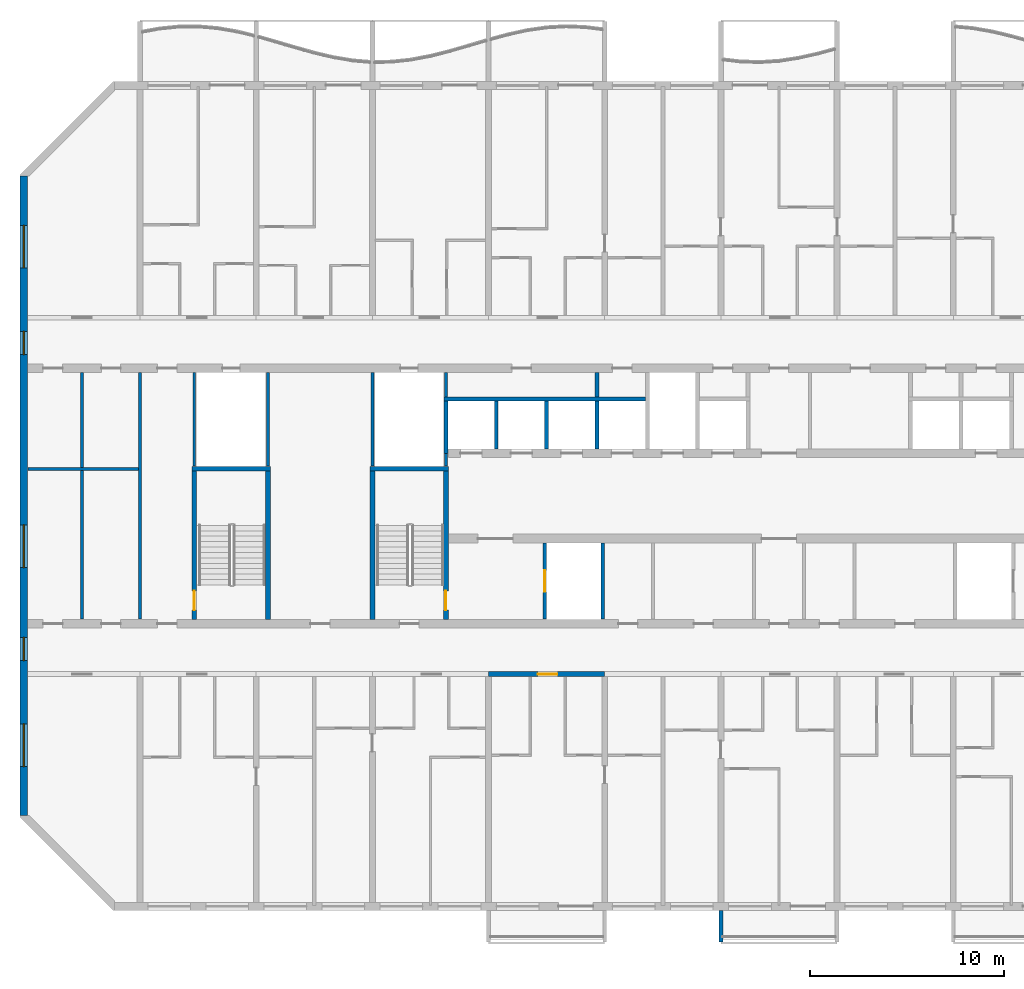
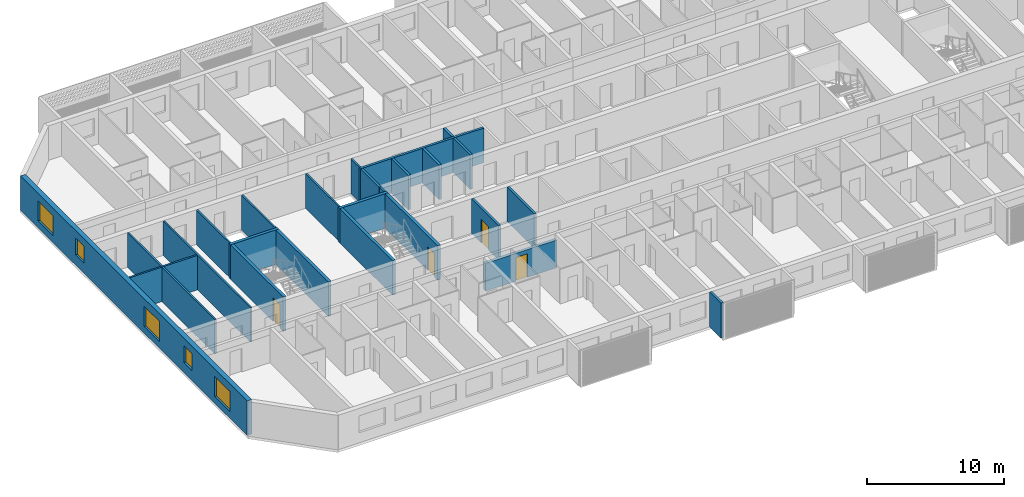
# One storey, part 3 of 32: 25 walls, 5 windows, 4 doors, 9 openings.
"""IFC4 building model written with IfcOpenShell, lengths in metres."""

from ifc_helpers import new_model, si_unit, direction, frame, frame_2d, origin, place, context, subcontext, project, spatial, polyline, rectangle, outline, extrude, source, transform, mapped, material, layer, layer_set, type_object, element, fill, save


model = new_model("IFC4")

# Units and contexts
model_context = context("Model", 3, precision=1e-05, world=origin(), true_north=direction((0.0, 1.0)))
body_context = subcontext(model_context, "Body", "Model", "MODEL_VIEW")
ifc_project = project(units=[si_unit("LENGTHUNIT", "METRE"), si_unit("AREAUNIT", "SQUARE_METRE"), si_unit("VOLUMEUNIT", "CUBIC_METRE"), si_unit("PLANEANGLEUNIT", "RADIAN"), si_unit("MASSUNIT", "GRAM", prefix="KILO")], contexts=[model_context])

# Site, building, storey
site_placement = place(None, origin())
site = spatial("IfcSite", under=ifc_project, at=site_placement, CompositionType="ELEMENT")
building_placement = place(site_placement, origin())
building = spatial("IfcBuilding", under=site, at=building_placement, Name="Poui Terraces", CompositionType="ELEMENT")
storey_placement = place(building_placement, frame((0.0, 0.0, 125.699951171875)))
storey = spatial("IfcBuildingStorey", under=building, at=storey_placement, Name="L34", CompositionType="ELEMENT", Elevation=125.699951171875)

# Wall
ifc_material_1 = material(Name="Fire-rated plasterboard wall")
ifc_layer_1 = layer(ifc_material_1, 0.14990234375)
ifc_layer_set_1 = layer_set([ifc_layer_1], Name="Fire-rated plasterboard wall")
wall_type_1 = type_object("IfcWallType", Name="CORRIDOR WALL 150", PredefinedType="PARTITIONING", material=ifc_layer_set_1)
wall_1_placement = place(storey_placement, frame((18.0, 14.8349609375, 0.0), z_axis=(0.0, 0.0, 1.0), x_axis=(0.0, 1.0, 0.0)))
element("IfcWall", 1, at=wall_1_placement, inside=storey, type_object=wall_type_1, Name="CORRIDOR WALL 150", PredefinedType="PARTITIONING", context=body_context, shape_type="SweptSolid", body=[
    extrude(rectangle(XDim=12.72998046875, YDim=0.14990234375, at=frame_2d((6.364990234375, 0.0))), origin(), (0.0, 0.0, 1.0), 3.070068359375),
])

# Wall, opening, door
ifc_material_2 = material(Name="Concrete 65 MPa", Category="concrete")
ifc_layer_2 = layer(ifc_material_2, 0.25)
ifc_layer_set_2 = layer_set([ifc_layer_2], Name="Concrete 65 MPa")
wall_type_2 = type_object("IfcWallType", Name="CORRIDOR WALL 250 65MPa", PredefinedType="SHEAR", material=ifc_layer_set_2)
wall_2_placement = place(storey_placement, frame((36.0, 12.0, 0.0), z_axis=(0.0, 0.0, 1.0), x_axis=(1.0, 0.0, 0.0)))
wall_2 = element("IfcWall", 2, at=wall_2_placement, inside=storey, type_object=wall_type_2, Name="CORRIDOR WALL LINE B BAY 5", PredefinedType="SHEAR", context=body_context, shape_type="SweptSolid", body=[
    extrude(rectangle(XDim=6.0, YDim=0.25, at=frame_2d((3.0, 0.0))), origin(), (0.0, 0.0, 1.0), 2.469970703125),
])
opening_1_placement = place(wall_2_placement, frame((2.550048828125, 0.0, 0.0)))
opening_1 = element("IfcOpeningElement", 3, at=opening_1_placement, cuts=wall_2, Name="Opening FD30S", PredefinedType="OPENING", context=body_context, shape_type="SweptSolid", body=[
    extrude(rectangle(XDim=1.0, YDim=2.10009765625, at=frame_2d((0.5, 1.050048828125))), frame((0.0, 0.135009765625, 0.0), z_axis=(0.0, -1.0, 0.0), x_axis=(1.0, 0.0, 0.0)), (0.0, 0.0, 1.0), 0.27001953125),
])
ifc_material_3 = material(Name="Steel fire door", Category="steel")
door_type_1 = type_object("IfcDoorType", Name="FLAT ENTRANCE DOOR 1000 X 2100", OperationType="NOTDEFINED", PredefinedType="DOOR", material=ifc_material_3)
door_1_placement = place(opening_1_placement, frame((1.0, 0.0, 0.0), z_axis=(0.0, 0.0, 1.0), x_axis=(-1.0, 0.0, 0.0)))
door_1 = element("IfcDoor", 4, at=door_1_placement, inside=storey, type_object=door_type_1, Name="FLAT ENTRANCE DOOR 092", OperationType="SINGLE_SWING_LEFT", OverallHeight=2.10009765625, OverallWidth=1.0, PredefinedType="DOOR", context=body_context, shape_type="SweptSolid", body=[
    extrude(rectangle(XDim=1.0, YDim=2.10009765625, at=frame_2d((0.5, 1.050048828125))), frame((0.0, 0.02490234375, 0.0), z_axis=(0.0, -1.0, 0.0), x_axis=(1.0, 0.0, 0.0)), (0.0, 0.0, 1.0), 0.050048828125),
])
fill(opening_1, door_1)

# Wall, openings, windows
ifc_layer_3 = layer(ifc_material_2, 0.39990234375)
ifc_layer_set_3 = layer_set([ifc_layer_3], Name="Concrete 65 MPa")
wall_type_3 = type_object("IfcWallType", Name="END WALL 400 65MPa", PredefinedType="SHEAR", material=ifc_layer_set_3)
wall_3_placement = place(storey_placement, frame((12.0, 4.682861328125, 0.0), z_axis=(0.0, 0.0, 1.0), x_axis=(0.0, 1.0, 0.0)))
wall_3 = element("IfcWall", 5, at=wall_3_placement, inside=storey, type_object=wall_type_3, Name="END WALL WEST", PredefinedType="SHEAR", context=body_context, shape_type="SweptSolid", body=[
    extrude(rectangle(XDim=33.034423828125, YDim=0.39990234375, at=frame_2d((16.51708984375, 0.0))), origin(), (0.0, 0.0, 1.0), 3.070068359375),
])
opening_2_placement = place(wall_3_placement, frame((23.817138671875, 0.0, 0.89990234375)))
opening_2 = element("IfcOpeningElement", 6, at=opening_2_placement, cuts=wall_3, Name="Opening W2", PredefinedType="OPENING", context=body_context, shape_type="SweptSolid", body=[
    extrude(rectangle(XDim=1.199951171875, YDim=1.5, at=frame_2d((0.60009765625, 0.75))), frame((0.0, 0.2099609375, 0.0), z_axis=(0.0, -1.0, 0.0), x_axis=(1.0, 0.0, 0.0)), (0.0, 0.0, 1.0), 0.419921875),
])
opening_3_placement = place(wall_3_placement, frame((8.01708984375, 0.0, 0.89990234375)))
opening_3 = element("IfcOpeningElement", 7, at=opening_3_placement, cuts=wall_3, Name="Opening W2", PredefinedType="OPENING", context=body_context, shape_type="SweptSolid", body=[
    extrude(rectangle(XDim=1.199951171875, YDim=1.5, at=frame_2d((0.60009765625, 0.75))), frame((0.0, 0.2099609375, 0.0), z_axis=(0.0, -1.0, 0.0), x_axis=(1.0, 0.0, 0.0)), (0.0, 0.0, 1.0), 0.419921875),
])
opening_4_placement = place(wall_3_placement, frame((28.29345703125, 0.0, 0.60009765625)))
opening_4 = element("IfcOpeningElement", 8, at=opening_4_placement, cuts=wall_3, Name="Opening W3", PredefinedType="OPENING", context=body_context, shape_type="SweptSolid", body=[
    extrude(rectangle(XDim=2.199951171875, YDim=1.800048828125, at=frame_2d((1.10009765625, 0.89990234375))), frame((0.0, 0.2099609375, 0.0), z_axis=(0.0, -1.0, 0.0), x_axis=(1.0, 0.0, 0.0)), (0.0, 0.0, 1.0), 0.419921875),
])
opening_5_placement = place(wall_3_placement, frame((2.541015625, 0.0, 0.60009765625)))
opening_5 = element("IfcOpeningElement", 9, at=opening_5_placement, cuts=wall_3, Name="Opening W3", PredefinedType="OPENING", context=body_context, shape_type="SweptSolid", body=[
    extrude(rectangle(XDim=2.199951171875, YDim=1.800048828125, at=frame_2d((1.10009765625, 0.89990234375))), frame((0.0, 0.2099609375, 0.0), z_axis=(0.0, -1.0, 0.0), x_axis=(1.0, 0.0, 0.0)), (0.0, 0.0, 1.0), 0.419921875),
])
opening_6_placement = place(wall_3_placement, frame((12.817138671875, 0.0, 0.60009765625)))
opening_6 = element("IfcOpeningElement", 10, at=opening_6_placement, cuts=wall_3, Name="Opening W3", PredefinedType="OPENING", context=body_context, shape_type="SweptSolid", body=[
    extrude(rectangle(XDim=2.199951171875, YDim=1.800048828125, at=frame_2d((1.10009765625, 0.89990234375))), frame((0.0, 0.2099609375, 0.0), z_axis=(0.0, -1.0, 0.0), x_axis=(1.0, 0.0, 0.0)), (0.0, 0.0, 1.0), 0.419921875),
])
ifc_material_4 = material(Name="Clear glass in aluminium frame", Category="aluminium")
window_type_1 = type_object("IfcWindowType", Name="WINDOW 1200X1500", PartitioningType="SINGLE_PANEL", PredefinedType="WINDOW", material=ifc_material_4)
window_1_placement = place(opening_2_placement, origin())
window_1 = element("IfcWindow", 11, at=window_1_placement, inside=storey, type_object=window_type_1, Name="W2 WINDOW", OverallHeight=1.5, OverallWidth=1.199951171875, PartitioningType="SINGLE_PANEL", PredefinedType="WINDOW", context=body_context, shape_type="SweptSolid", body=[
    extrude(rectangle(XDim=1.199951171875, YDim=1.5, at=frame_2d((0.60009765625, 0.75))), frame((0.0, 0.030029296875, 0.0), z_axis=(0.0, -1.0, 0.0), x_axis=(1.0, 0.0, 0.0)), (0.0, 0.0, 1.0), 0.06005859375),
])
fill(opening_2, window_1)
window_2_placement = place(opening_3_placement, origin())
window_2 = element("IfcWindow", 12, at=window_2_placement, inside=storey, type_object=window_type_1, Name="W2 WINDOW", OverallHeight=1.5, OverallWidth=1.199951171875, PartitioningType="SINGLE_PANEL", PredefinedType="WINDOW", context=body_context, shape_type="SweptSolid", body=[
    extrude(rectangle(XDim=1.199951171875, YDim=1.5, at=frame_2d((0.60009765625, 0.75))), frame((0.0, 0.030029296875, 0.0), z_axis=(0.0, -1.0, 0.0), x_axis=(1.0, 0.0, 0.0)), (0.0, 0.0, 1.0), 0.06005859375),
])
fill(opening_3, window_2)
window_type_2 = type_object("IfcWindowType", Name="WINDOW 2200X1800", PartitioningType="DOUBLE_PANEL_HORIZONTAL", PredefinedType="WINDOW", material=ifc_material_4)
window_3_placement = place(opening_4_placement, origin())
window_3 = element("IfcWindow", 13, at=window_3_placement, inside=storey, type_object=window_type_2, Name="W3 WINDOW", OverallHeight=1.800048828125, OverallWidth=2.199951171875, PartitioningType="DOUBLE_PANEL_HORIZONTAL", PredefinedType="WINDOW", context=body_context, shape_type="SweptSolid", body=[
    extrude(rectangle(XDim=2.199951171875, YDim=1.800048828125, at=frame_2d((1.10009765625, 0.89990234375))), frame((0.0, 0.030029296875, 0.0), z_axis=(0.0, -1.0, 0.0), x_axis=(1.0, 0.0, 0.0)), (0.0, 0.0, 1.0), 0.06005859375),
])
fill(opening_4, window_3)
window_4_placement = place(opening_5_placement, origin())
window_4 = element("IfcWindow", 14, at=window_4_placement, inside=storey, type_object=window_type_2, Name="W3 WINDOW", OverallHeight=1.800048828125, OverallWidth=2.199951171875, PartitioningType="DOUBLE_PANEL_HORIZONTAL", PredefinedType="WINDOW", context=body_context, shape_type="SweptSolid", body=[
    extrude(rectangle(XDim=2.199951171875, YDim=1.800048828125, at=frame_2d((1.10009765625, 0.89990234375))), frame((0.0, 0.030029296875, 0.0), z_axis=(0.0, -1.0, 0.0), x_axis=(1.0, 0.0, 0.0)), (0.0, 0.0, 1.0), 0.06005859375),
])
fill(opening_5, window_4)
window_5_placement = place(opening_6_placement, origin())
window_5 = element("IfcWindow", 15, at=window_5_placement, inside=storey, type_object=window_type_2, Name="W3 WINDOW", OverallHeight=1.800048828125, OverallWidth=2.199951171875, PartitioningType="DOUBLE_PANEL_HORIZONTAL", PredefinedType="WINDOW", context=body_context, shape_type="SweptSolid", body=[
    extrude(rectangle(XDim=2.199951171875, YDim=1.800048828125, at=frame_2d((1.10009765625, 0.89990234375))), frame((0.0, 0.030029296875, 0.0), z_axis=(0.0, -1.0, 0.0), x_axis=(1.0, 0.0, 0.0)), (0.0, 0.0, 1.0), 0.06005859375),
])
fill(opening_6, window_5)

# Walls
ifc_material_5 = material(Name="Plasterboard partition")
ifc_layer_4 = layer(ifc_material_5, 0.14990234375)
ifc_layer_set_4 = layer_set([ifc_layer_4], Name="Plasterboard partition")
wall_type_4 = type_object("IfcWallType", Name="PARTITION WALL 150", PredefinedType="PARTITIONING", material=ifc_layer_set_4)
wall_4_placement = place(storey_placement, frame((12.2099609375, 22.60009765625, 0.0), z_axis=(0.0, 0.0, 1.0), x_axis=(1.0, 0.0, 0.0)))
element("IfcWall", 16, at=wall_4_placement, inside=storey, type_object=wall_type_4, Name="PARTITION WALL 150", PredefinedType="PARTITIONING", context=body_context, shape_type="SweptSolid", body=[
    extrude(rectangle(XDim=5.715087890625, YDim=0.14990234375, at=frame_2d((2.857421875, 0.0))), origin(), (0.0, 0.0, 1.0), 3.070068359375),
])
wall_5_placement = place(storey_placement, frame((15.0, 14.8349609375, 0.0), z_axis=(0.0, 0.0, 1.0), x_axis=(0.0, 1.0, 0.0)))
element("IfcWall", 17, at=wall_5_placement, inside=storey, type_object=wall_type_4, Name="PARTITION WALL 150", PredefinedType="PARTITIONING", context=body_context, shape_type="SweptSolid", body=[
    extrude(rectangle(XDim=12.72998046875, YDim=0.14990234375, at=frame_2d((6.364990234375, 0.0))), origin(), (0.0, 0.0, 1.0), 3.070068359375),
])
ifc_material_6 = material(Name="Fire-rated masonry wall", Category="masonry")
ifc_layer_5 = layer(ifc_material_6, 0.199951171875)
ifc_layer_set_5 = layer_set([ifc_layer_5], Name="Fire-rated masonry wall")
wall_type_5 = type_object("IfcWallType", Name="PLANT ROOM WALL 200", PredefinedType="PARTITIONING", material=ifc_layer_set_5)
wall_6_placement = place(storey_placement, frame((41.60009765625, 26.300048828125, 0.0), z_axis=(0.0, 0.0, 1.0), x_axis=(0.0, 1.0, 0.0)))
element("IfcWall", 18, at=wall_6_placement, inside=storey, type_object=wall_type_5, Name="PLANT ROOM WALL 200", PredefinedType="PARTITIONING", context=body_context, shape_type="SweptSolid", body=[
    extrude(rectangle(XDim=1.264892578125, YDim=0.199951171875, at=frame_2d((0.63232421875, 0.0))), origin(), (0.0, 0.0, 1.0), 3.070068359375),
])
ifc_material_7 = material(Name="Fire-rated plasterboard riser wall")
ifc_layer_6 = layer(ifc_material_7, 0.14990234375)
ifc_layer_set_6 = layer_set([ifc_layer_6], Name="Fire-rated plasterboard riser wall")
wall_type_6 = type_object("IfcWallType", Name="RISER WALL 150", PredefinedType="PARTITIONING", material=ifc_layer_set_6)
for number, where, z_axis, x_axis, name in (
    (19, (20.800048828125, 22.735107421875, 0.0), (0.0, 0.0, 1.0), (0.0, 1.0, 0.0), "RISER WALL 150"),
    (20, (24.60009765625, 22.735107421875, 0.0), (0.0, 0.0, 1.0), (0.0, 1.0, 0.0), "RISER WALL 150"),
    (21, (30.0, 22.735107421875, 0.0), (0.0, 0.0, 1.0), (0.0, 1.0, 0.0), "RISER WALL 150"),
):
    element("IfcWall", number, at=place(storey_placement, frame(where, z_axis=z_axis, x_axis=x_axis)), inside=storey, type_object=wall_type_6, Name=name, PredefinedType="PARTITIONING", context=body_context, shape_type="SweptSolid", body=[
        extrude(rectangle(XDim=4.829833984375, YDim=0.14990234375, at=frame_2d((2.4150390625, 0.0))), origin(), (0.0, 0.0, 1.0), 3.070068359375),
    ])
wall_7_placement = place(storey_placement, frame((33.800048828125, 22.735107421875, 0.0), z_axis=(0.0, 0.0, 1.0), x_axis=(0.0, 1.0, 0.0)))
element("IfcWall", 22, at=wall_7_placement, inside=storey, type_object=wall_type_6, Name="RISER WALL 150", PredefinedType="PARTITIONING", context=body_context, shape_type="SweptSolid", body=[
    extrude(rectangle(XDim=0.664794921875, YDim=0.14990234375, at=frame_2d((0.33251953125, 0.0))), origin(), (0.0, 0.0, 1.0), 3.070068359375),
])
wall_8_placement = place(storey_placement, frame((33.800048828125, 26.300048828125, 0.0), z_axis=(0.0, 0.0, 1.0), x_axis=(0.0, 1.0, 0.0)))
element("IfcWall", 23, at=wall_8_placement, inside=storey, type_object=wall_type_6, Name="RISER WALL 150", PredefinedType="PARTITIONING", context=body_context, shape_type="SweptSolid", body=[
    extrude(rectangle(XDim=1.264892578125, YDim=0.14990234375, at=frame_2d((0.63232421875, 0.0))), origin(), (0.0, 0.0, 1.0), 3.070068359375),
])
ifc_material_8 = material(Name="Fire-rated masonry shaft wall", Category="masonry")
ifc_layer_7 = layer(ifc_material_8, 0.199951171875)
ifc_layer_set_7 = layer_set([ifc_layer_7], Name="Fire-rated masonry shaft wall")
wall_type_7 = type_object("IfcWallType", Name="SHAFT WALL 200", PredefinedType="PARTITIONING", material=ifc_layer_set_7)
wall_9_placement = place(storey_placement, frame((33.699951171875, 26.199951171875, 0.0), z_axis=(0.0, 0.0, 1.0), x_axis=(1.0, 0.0, 0.0)))
element("IfcWall", 24, at=wall_9_placement, inside=storey, type_object=wall_type_7, Name="SHAFT WALL 200", PredefinedType="PARTITIONING", context=body_context, shape_type="SweptSolid", body=[
    extrude(rectangle(XDim=10.400146484375, YDim=0.199951171875, at=frame_2d((5.2001953125, 0.0))), origin(), (0.0, 0.0, 1.0), 3.070068359375),
])
wall_10_placement = place(storey_placement, frame((33.800048828125, 23.39990234375, 0.0), z_axis=(0.0, 0.0, 1.0), x_axis=(0.0, 1.0, 0.0)))
element("IfcWall", 25, at=wall_10_placement, inside=storey, type_object=wall_type_7, Name="SHAFT WALL 200", PredefinedType="PARTITIONING", context=body_context, shape_type="SweptSolid", body=[
    extrude(rectangle(XDim=2.7001953125, YDim=0.199951171875, at=frame_2d((1.35009765625, 0.0))), origin(), (0.0, 0.0, 1.0), 3.070068359375),
])
wall_11_placement = place(storey_placement, frame((36.39990234375, 23.635009765625, 0.0), z_axis=(0.0, 0.0, 1.0), x_axis=(0.0, 1.0, 0.0)))
element("IfcWall", 26, at=wall_11_placement, inside=storey, type_object=wall_type_7, Name="SHAFT WALL 200", PredefinedType="PARTITIONING", context=body_context, shape_type="SweptSolid", body=[
    extrude(rectangle(XDim=2.465087890625, YDim=0.199951171875, at=frame_2d((1.232421875, 0.0))), origin(), (0.0, 0.0, 1.0), 3.070068359375),
])

# Wall, opening, door
wall_12_placement = place(storey_placement, frame((38.89990234375, 14.8349609375, 0.0), z_axis=(0.0, 0.0, 1.0), x_axis=(0.0, 1.0, 0.0)))
wall_12 = element("IfcWall", 27, at=wall_12_placement, inside=storey, type_object=wall_type_7, Name="SHAFT WALL 200", PredefinedType="PARTITIONING", context=body_context, shape_type="SweptSolid", body=[
    extrude(rectangle(XDim=3.929931640625, YDim=0.199951171875, at=frame_2d((1.96484375, 0.0))), origin(), (0.0, 0.0, 1.0), 3.070068359375),
])
opening_7_placement = place(wall_12_placement, frame((1.4150390625, 0.0, 0.0)))
opening_7 = element("IfcOpeningElement", 28, at=opening_7_placement, cuts=wall_12, Name="Opening LD", PredefinedType="OPENING", context=body_context, shape_type="SweptSolid", body=[
    extrude(rectangle(XDim=1.10009765625, YDim=2.10009765625, at=frame_2d((0.550048828125, 1.050048828125))), frame((0.0, 0.10986328125, 0.0), z_axis=(0.0, -1.0, 0.0), x_axis=(1.0, 0.0, 0.0)), (0.0, 0.0, 1.0), 0.219970703125),
])
ifc_material_9 = material(Name="Stainless steel sliding door", Category="steel")
door_type_2 = type_object("IfcDoorType", Name="LIFT LANDING DOOR 1100 X 2100", OperationType="DOUBLE_DOOR_SLIDING", PredefinedType="DOOR", material=ifc_material_9)
door_2_placement = place(opening_7_placement, origin())
door_2 = element("IfcDoor", 29, at=door_2_placement, inside=storey, type_object=door_type_2, Name="LANDING DOOR", OperationType="DOUBLE_DOOR_SLIDING", OverallHeight=2.10009765625, OverallWidth=1.10009765625, PredefinedType="DOOR", context=body_context, shape_type="SweptSolid", body=[
    extrude(rectangle(XDim=1.10009765625, YDim=2.10009765625, at=frame_2d((0.550048828125, 1.050048828125))), frame((0.0, 0.02490234375, 0.0), z_axis=(0.0, -1.0, 0.0), x_axis=(1.0, 0.0, 0.0)), (0.0, 0.0, 1.0), 0.050048828125),
])
fill(opening_7, door_2)

# Walls
for number, where, z_axis, x_axis, name in (
    (30, (39.0, 23.635009765625, 0.0), (0.0, 0.0, 1.0), (0.0, 1.0, 0.0), "SHAFT WALL 200"),
    (31, (41.60009765625, 23.635009765625, 0.0), (0.0, 0.0, 1.0), (0.0, 1.0, 0.0), "SHAFT WALL 200"),
):
    element("IfcWall", number, at=place(storey_placement, frame(where, z_axis=z_axis, x_axis=x_axis)), inside=storey, type_object=wall_type_7, Name=name, PredefinedType="PARTITIONING", context=body_context, shape_type="SweptSolid", body=[
        extrude(rectangle(XDim=2.465087890625, YDim=0.199951171875, at=frame_2d((1.232421875, 0.0))), origin(), (0.0, 0.0, 1.0), 3.070068359375),
    ])
wall_13_placement = place(storey_placement, frame((41.89990234375, 14.8349609375, 0.0), z_axis=(0.0, 0.0, 1.0), x_axis=(0.0, 1.0, 0.0)))
element("IfcWall", 32, at=wall_13_placement, inside=storey, type_object=wall_type_7, Name="SHAFT WALL 200", PredefinedType="PARTITIONING", context=body_context, shape_type="SweptSolid", body=[
    extrude(rectangle(XDim=3.929931640625, YDim=0.199951171875, at=frame_2d((1.96484375, 0.0))), origin(), (0.0, 0.0, 1.0), 3.070068359375),
])
ifc_layer_8 = layer(ifc_material_2, 0.25)
ifc_layer_set_8 = layer_set([ifc_layer_8], Name="Concrete 65 MPa")
wall_type_8 = type_object("IfcWallType", Name="STAIR CORE WALL 250 65 MPA", PredefinedType="SOLIDWALL", material=ifc_layer_set_8)
wall_14_placement = place(storey_placement, frame((30.0, 14.824951171875, 0.0), z_axis=(0.0, 0.0, 1.0), x_axis=(0.0, 1.0, 0.0)))
element("IfcWall", 33, at=wall_14_placement, inside=storey, type_object=wall_type_8, Name="STAIR CORE WALL", PredefinedType="SOLIDWALL", context=body_context, shape_type="SweptSolid", body=[
    extrude(rectangle(XDim=7.650146484375, YDim=0.25, at=frame_2d((3.8251953125, 0.0))), origin(), (0.0, 0.0, 1.0), 3.070068359375),
])

# Wall, opening, door
wall_15_placement = place(storey_placement, frame((33.800048828125, 14.824951171875, 0.0), z_axis=(0.0, 0.0, 1.0), x_axis=(0.0, 1.0, 0.0)))
wall_15 = element("IfcWall", 34, at=wall_15_placement, inside=storey, type_object=wall_type_8, Name="STAIR CORE WALL", PredefinedType="SOLIDWALL", context=body_context, shape_type="SweptSolid", body=[
    extrude(rectangle(XDim=7.650146484375, YDim=0.25, at=frame_2d((3.8251953125, 0.0))), origin(), (0.0, 0.0, 1.0), 3.070068359375),
])
opening_8_placement = place(wall_15_placement, frame((0.47509765625, 0.0, 0.0)))
opening_8 = element("IfcOpeningElement", 35, at=opening_8_placement, cuts=wall_15, Name="Opening FD60S", PredefinedType="OPENING", context=body_context, shape_type="SweptSolid", body=[
    extrude(rectangle(XDim=1.0, YDim=2.10009765625, at=frame_2d((0.5, 1.050048828125))), frame((0.0, 0.135009765625, 0.0), z_axis=(0.0, -1.0, 0.0), x_axis=(1.0, 0.0, 0.0)), (0.0, 0.0, 1.0), 0.27001953125),
])
door_type_3 = type_object("IfcDoorType", Name="STAIR DOOR 1000 X 2100", OperationType="NOTDEFINED", PredefinedType="DOOR", material=ifc_material_3)
door_3_placement = place(opening_8_placement, origin())
door_3 = element("IfcDoor", 36, at=door_3_placement, inside=storey, type_object=door_type_3, Name="STAIR DOOR 123", OperationType="SINGLE_SWING_LEFT", OverallHeight=2.10009765625, OverallWidth=1.0, PredefinedType="DOOR", context=body_context, shape_type="SweptSolid", body=[
    extrude(rectangle(XDim=1.0, YDim=2.10009765625, at=frame_2d((0.5, 1.050048828125))), frame((0.0, 0.02490234375, 0.0), z_axis=(0.0, -1.0, 0.0), x_axis=(1.0, 0.0, 0.0)), (0.0, 0.0, 1.0), 0.050048828125),
])
fill(opening_8, door_3)

# Wall
wall_16_placement = place(storey_placement, frame((29.875, 22.60009765625, 0.0), z_axis=(0.0, 0.0, 1.0), x_axis=(1.0, 0.0, 0.0)))
element("IfcWall", 37, at=wall_16_placement, inside=storey, type_object=wall_type_8, Name="STAIR CORE WALL", PredefinedType="SOLIDWALL", context=body_context, shape_type="SweptSolid", body=[
    extrude(rectangle(XDim=4.050048828125, YDim=0.25, at=frame_2d((2.02490234375, 0.0))), origin(), (0.0, 0.0, 1.0), 3.070068359375),
])

# Wall, opening, door
wall_17_placement = place(storey_placement, frame((20.800048828125, 14.824951171875, 0.0), z_axis=(0.0, 0.0, 1.0), x_axis=(0.0, 1.0, 0.0)))
wall_17 = element("IfcWall", 38, at=wall_17_placement, inside=storey, type_object=wall_type_8, Name="STAIR CORE WALL", PredefinedType="SOLIDWALL", context=body_context, shape_type="SweptSolid", body=[
    extrude(rectangle(XDim=7.650146484375, YDim=0.25, at=frame_2d((3.8251953125, 0.0))), origin(), (0.0, 0.0, 1.0), 3.070068359375),
])
opening_9_placement = place(wall_17_placement, frame((0.47509765625, 0.0, 0.0)))
opening_9 = element("IfcOpeningElement", 39, at=opening_9_placement, cuts=wall_17, Name="Opening FD60S", PredefinedType="OPENING", context=body_context, shape_type="SweptSolid", body=[
    extrude(rectangle(XDim=1.0, YDim=2.10009765625, at=frame_2d((0.5, 1.050048828125))), frame((0.0, 0.135009765625, 0.0), z_axis=(0.0, -1.0, 0.0), x_axis=(1.0, 0.0, 0.0)), (0.0, 0.0, 1.0), 0.27001953125),
])
door_4_placement = place(opening_9_placement, frame((1.0, 0.0, 0.0), z_axis=(0.0, 0.0, 1.0), x_axis=(-1.0, 0.0, 0.0)))
door_4 = element("IfcDoor", 40, at=door_4_placement, inside=storey, type_object=door_type_3, Name="STAIR DOOR 137", OperationType="SINGLE_SWING_RIGHT", OverallHeight=2.10009765625, OverallWidth=1.0, PredefinedType="DOOR", context=body_context, shape_type="SweptSolid", body=[
    extrude(rectangle(XDim=1.0, YDim=2.10009765625, at=frame_2d((0.5, 1.050048828125))), frame((0.0, 0.02490234375, 0.0), z_axis=(0.0, -1.0, 0.0), x_axis=(1.0, 0.0, 0.0)), (0.0, 0.0, 1.0), 0.050048828125),
])
fill(opening_9, door_4)

# Walls
wall_18_placement = place(storey_placement, frame((24.60009765625, 14.824951171875, 0.0), z_axis=(0.0, 0.0, 1.0), x_axis=(0.0, 1.0, 0.0)))
element("IfcWall", 41, at=wall_18_placement, inside=storey, type_object=wall_type_8, Name="STAIR CORE WALL", PredefinedType="SOLIDWALL", context=body_context, shape_type="SweptSolid", body=[
    extrude(rectangle(XDim=7.650146484375, YDim=0.25, at=frame_2d((3.8251953125, 0.0))), origin(), (0.0, 0.0, 1.0), 3.070068359375),
])
wall_19_placement = place(storey_placement, frame((20.675048828125, 22.60009765625, 0.0), z_axis=(0.0, 0.0, 1.0), x_axis=(1.0, 0.0, 0.0)))
element("IfcWall", 42, at=wall_19_placement, inside=storey, type_object=wall_type_8, Name="STAIR CORE WALL", PredefinedType="SOLIDWALL", context=body_context, shape_type="SweptSolid", body=[
    extrude(rectangle(XDim=4.050048828125, YDim=0.25, at=frame_2d((2.02490234375, 0.0))), origin(), (0.0, 0.0, 1.0), 3.070068359375),
])
ifc_material_10 = material(Name="Precast concrete 40 MPa", Category="concrete")
ifc_layer_9 = layer(ifc_material_10, 0.199951171875)
ifc_layer_set_9 = layer_set([ifc_layer_9], Name="Precast concrete 40 MPa")
wall_type_9 = type_object("IfcWallType", Name="REAR FIN 200", PredefinedType="STANDARD", material=ifc_layer_set_9)
shared_shape = source(origin(), body_context, "Body", "SweptSolid", [
    extrude(outline(polyline([(0.0, 0.0), (0.2001953125, 0.0), (0.2001953125, 1.650146484375), (0.0, 1.650146484375), (0.0, 0.0)])), origin(), (0.0, 0.0, 1.0), 3.10009765625),
])
wall_20_placement = place(storey_placement, frame((47.89990234375, -1.85009765625, 0.0)))
element("IfcWall", 43, at=wall_20_placement, inside=storey, type_object=wall_type_9, Name="REAR FIN", PredefinedType="STANDARD", context=body_context, shape_type="MappedRepresentation", body=[
    mapped(shared_shape, transform((0.0, 0.0, 0.0))),
])

save(model, "model.ifc")
